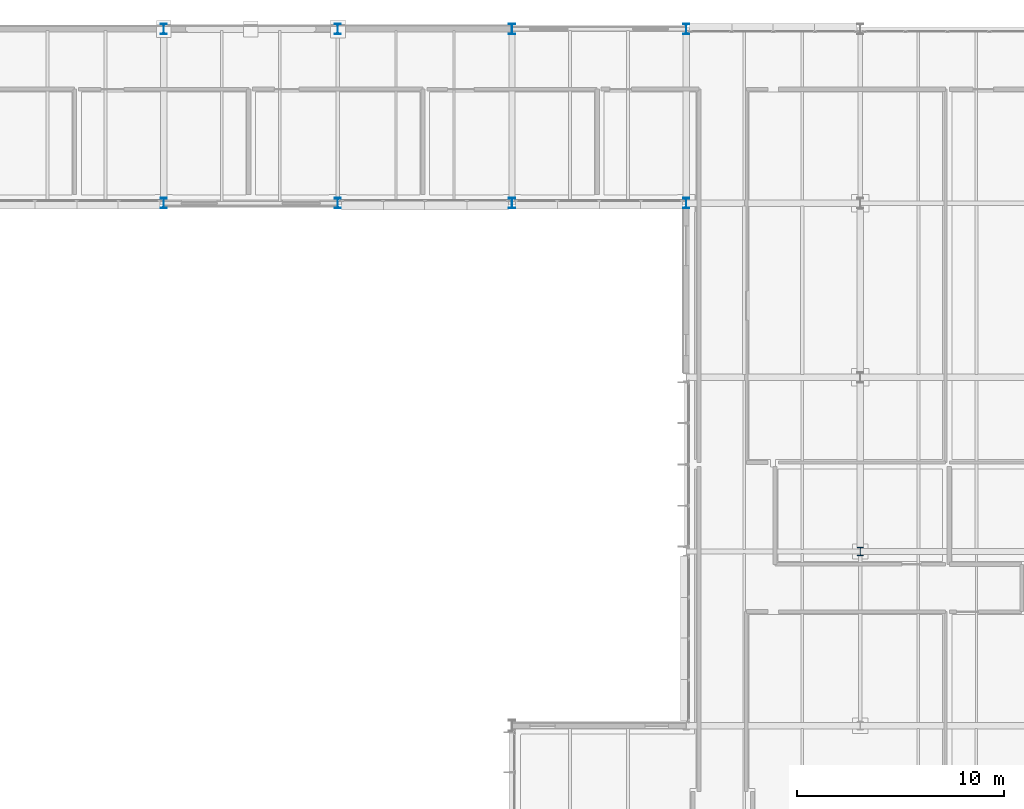
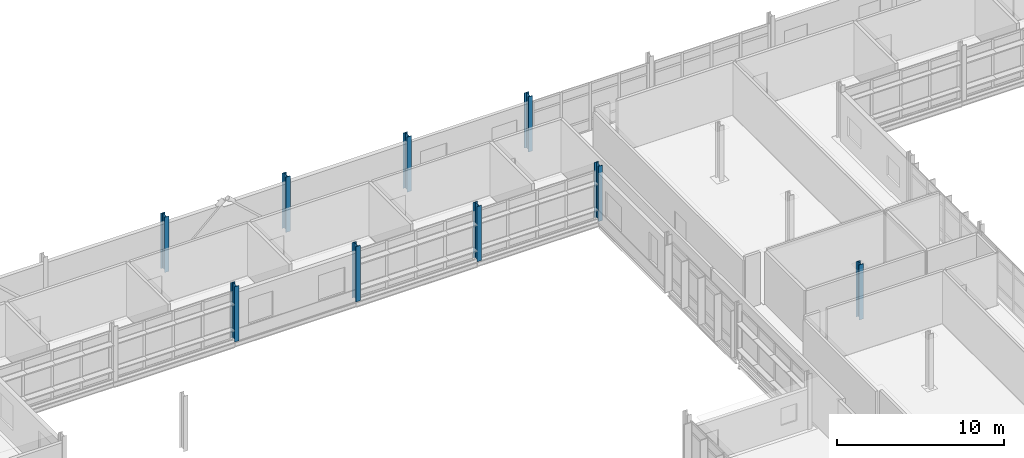
# One storey, part 9 of 151: 9 columns.
"""IFC4 building model written with IfcOpenShell, lengths in metres."""

from ifc_helpers import new_model, si_unit, direction, frame, origin, origin_2d, place, context, subcontext, project, spatial, i_section, extrude, material, material_profile, profile_set, type_object, element, save


model = new_model("IFC4")

# Units and contexts
model_context = context("Model", 3, precision=1e-05, world=origin(), true_north=direction((0.0, 1.0)))
body_context = subcontext(model_context, "Body", "Model", "MODEL_VIEW")
ifc_project = project(units=[si_unit("LENGTHUNIT", "METRE"), si_unit("AREAUNIT", "SQUARE_METRE"), si_unit("VOLUMEUNIT", "CUBIC_METRE"), si_unit("PLANEANGLEUNIT", "RADIAN"), si_unit("MASSUNIT", "GRAM", prefix="KILO")], contexts=[model_context])

# Site, building, storey
site_placement = place(None, origin())
site = spatial("IfcSite", under=ifc_project, at=site_placement, CompositionType="ELEMENT")
building_placement = place(site_placement, origin())
building = spatial("IfcBuilding", under=site, at=building_placement, Name="Mersafa Astral City Hall", CompositionType="ELEMENT")
storey_placement = place(building_placement, frame((0.0, 0.0, 9.89990234375)))
storey = spatial("IfcBuildingStorey", under=building, at=storey_placement, Name="L02", CompositionType="ELEMENT", Elevation=9.89990234375)

# Columns
ifc_material = material(Name="Steel S355", Category="steel")
ifc_material_profile_1 = material_profile(ifc_material, i_section(OverallWidth=0.300048828125, OverallDepth=0.39990234375, WebThickness=0.013427734375, FlangeThickness=0.02392578125, FilletRadius=0.027099609375, at=origin_2d()), Name="HEB 400")
ifc_profile_set_1 = profile_set([ifc_material_profile_1], Name="Steel S355")
column_type_1 = type_object("IfcColumnType", Name="STR-COL-HEB400", PredefinedType="COLUMN", material=ifc_profile_set_1)
column_placement = place(storey_placement, frame((109.199951171875, 100.800048828125, 0.0), z_axis=(0.0, 0.0, 1.0), x_axis=(1.0, 0.0, 0.0)))
element("IfcColumn", 1, at=column_placement, inside=storey, type_object=column_type_1, Name="L02 Structural column G-13-12", PredefinedType="COLUMN", context=body_context, shape_type="SweptSolid", body=[
    extrude(i_section(OverallWidth=0.300048828125, OverallDepth=0.39990234375, WebThickness=0.013427734375, FlangeThickness=0.02392578125, FilletRadius=0.027099609375, at=origin_2d()), origin(), (0.0, 0.0, 1.0), 4.050048828125),
])
ifc_material_profile_2 = material_profile(ifc_material, i_section(OverallWidth=0.300048828125, OverallDepth=0.5, WebThickness=0.014404296875, FlangeThickness=0.028076171875, FilletRadius=0.027099609375, at=origin_2d()), Name="HEB 500")
ifc_profile_set_2 = profile_set([ifc_material_profile_2], Name="Steel S355")
column_type_2 = type_object("IfcColumnType", Name="STR-COL-HEB500", PredefinedType="COLUMN", material=ifc_profile_set_2)
for number, where, z_axis, x_axis, name in (
    (2, (75.60009765625, 117.60009765625, 0.0), (0.0, 0.0, 1.0), (1.0, 0.0, 0.0), "L02 Structural column G-09-14"),
    (3, (75.60009765625, 126.0, 0.0), (0.0, 0.0, 1.0), (1.0, 0.0, 0.0), "L02 Structural column G-09-15"),
    (4, (84.0, 117.60009765625, 0.0), (0.0, 0.0, 1.0), (1.0, 0.0, 0.0), "L02 Structural column G-10-14"),
    (5, (84.0, 126.0, 0.0), (0.0, 0.0, 1.0), (1.0, 0.0, 0.0), "L02 Structural column G-10-15"),
    (6, (92.39990234375, 117.60009765625, 0.0), (0.0, 0.0, 1.0), (1.0, 0.0, 0.0), "L02 Structural column G-11-14"),
    (7, (92.39990234375, 126.0, 0.0), (0.0, 0.0, 1.0), (1.0, 0.0, 0.0), "L02 Structural column G-11-15"),
    (8, (100.800048828125, 117.60009765625, 0.0), (0.0, 0.0, 1.0), (1.0, 0.0, 0.0), "L02 Structural column G-12-14"),
    (9, (100.800048828125, 126.0, 0.0), (0.0, 0.0, 1.0), (1.0, 0.0, 0.0), "L02 Structural column G-12-15"),
):
    element("IfcColumn", number, at=place(storey_placement, frame(where, z_axis=z_axis, x_axis=x_axis)), inside=storey, type_object=column_type_2, Name=name, PredefinedType="COLUMN", context=body_context, shape_type="SweptSolid", body=[
        extrude(i_section(OverallWidth=0.300048828125, OverallDepth=0.5, WebThickness=0.014404296875, FlangeThickness=0.028076171875, FilletRadius=0.027099609375, at=origin_2d()), origin(), (0.0, 0.0, 1.0), 4.050048828125),
    ])

save(model, "model.ifc")
